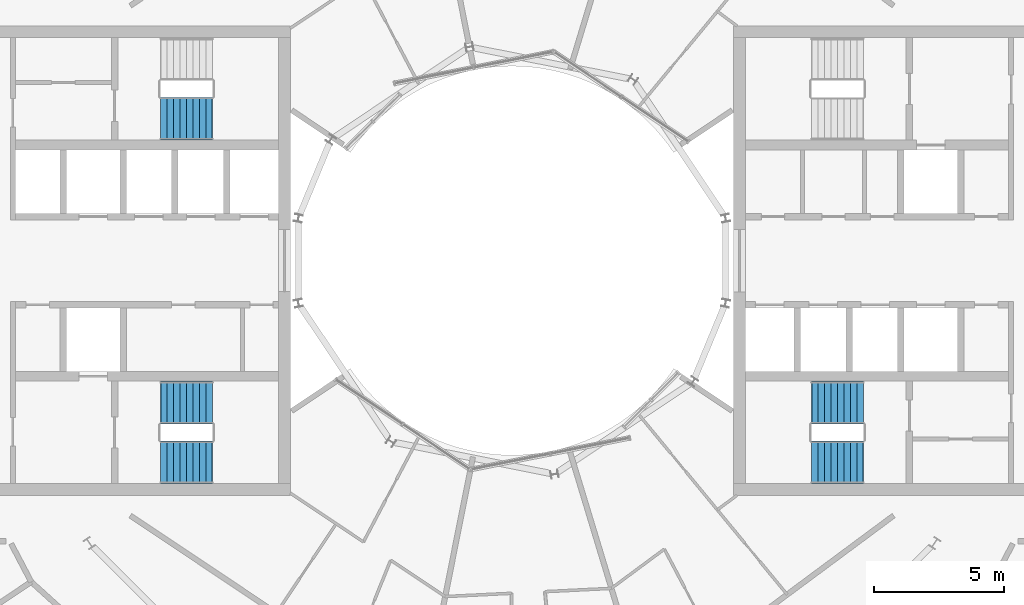
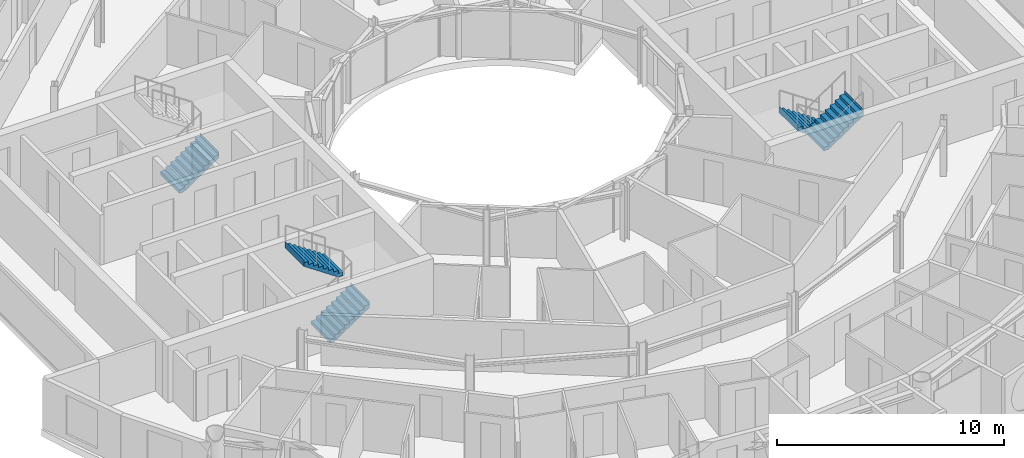
# One storey, part 26 of 29: 5 stair flights, 3 elements without a shape of their own.
"""IFC4 building model written with IfcOpenShell, lengths in metres."""

import ifcopenshell
import ifcopenshell.guid

model = None  # the IFC model being written
_history = None  # IfcOwnerHistory: only IFC2X3 demands one
_inside = {}  # id of a spatial element -> (the spatial element, [elements in it])
_under = {}  # id of a project, library or spatial element -> (it, [spatial elements below it])
_declared = {}  # id of a project -> (the project, [libraries it declares])
_typed = {}  # id of a type object -> (the type object, [elements of that type])
_made_of = {}  # id of a material, layer set ... -> (it, [elements and type objects made of it])


def new_model(schema):
    """Start an empty IFC model of exactly this schema.

    Asked for "IFC4X3", IfcOpenShell would pick the latest addendum, in which some entities
    have other attributes; the version numbers below select the first issue.
    IFC2X3 requires an IfcOwnerHistory on every rooted entity: one is made here for all.
    """
    global model, _history
    if schema == "IFC4X3":
        model = ifcopenshell.file(schema_version=(4, 3, 0, 0))
    else:
        model = ifcopenshell.file(schema=schema)
    _inside.clear()
    _under.clear()
    _declared.clear()
    _typed.clear()
    _made_of.clear()
    _history = None
    if model.schema == "IFC2X3":
        org = make("IfcOrganization", Name="unknown")
        user = make(
            "IfcPersonAndOrganization",
            ThePerson=make("IfcPerson", FamilyName="unknown"),
            TheOrganization=org,
        )
        app = make(
            "IfcApplication",
            ApplicationDeveloper=org,
            Version="unknown",
            ApplicationFullName="unknown",
            ApplicationIdentifier="unknown",
        )
        _history = make(
            "IfcOwnerHistory",
            OwningUser=user,
            OwningApplication=app,
            ChangeAction="ADDED",
            CreationDate=0,
        )
    return model


def make(cls, **values):
    """One entity of the class cls with the attributes given. An attribute that is None is left unset."""
    return model.create_entity(
        cls, **{name: value for name, value in values.items() if value is not None}
    )


def rooted(cls, **values):
    """An entity with a GlobalId (a new one), such as an element, a storey or a relation."""
    return make(cls, GlobalId=ifcopenshell.guid.new(), OwnerHistory=_history, **values)


def si_unit(unit_type, name, prefix=None):
    """IfcSIUnit, for example si_unit("LENGTHUNIT", "METRE", prefix="MILLI")."""
    return make("IfcSIUnit", UnitType=unit_type, Prefix=prefix, Name=name)


def assignment(units):
    """IfcUnitAssignment: the units of a project."""
    return None if units is None else make("IfcUnitAssignment", Units=units)


def point(xyz):
    """IfcCartesianPoint."""
    return None if xyz is None else make("IfcCartesianPoint", Coordinates=xyz)


def direction(xyz):
    """IfcDirection."""
    return None if xyz is None else make("IfcDirection", DirectionRatios=xyz)


def frame(location, z_axis=None, x_axis=None):
    """IfcAxis2Placement3D, a coordinate frame: its origin and axes. An axis left out is left unset."""
    return make(
        "IfcAxis2Placement3D",
        Location=point(location),
        Axis=direction(z_axis),
        RefDirection=direction(x_axis),
    )


def origin():
    """The frame at (0, 0, 0) with its axes left unset."""
    return frame((0.0, 0.0, 0.0))


def place(relative_to, where):
    """IfcLocalPlacement: puts the frame where relative to a parent placement (None: the world)."""
    return make(
        "IfcLocalPlacement", PlacementRelTo=relative_to, RelativePlacement=where
    )


def context(
    kind, dimensions, precision=None, world=None, true_north=None, identifier=None
):
    """IfcGeometricRepresentationContext, for example the 3D "Model" context."""
    return make(
        "IfcGeometricRepresentationContext",
        ContextIdentifier=identifier,
        ContextType=kind,
        CoordinateSpaceDimension=dimensions,
        Precision=precision,
        WorldCoordinateSystem=world,
        TrueNorth=true_north,
    )


def subcontext(parent, identifier, kind, view, scale=None):
    """IfcGeometricRepresentationSubContext, for example "Body" below "Model"."""
    return make(
        "IfcGeometricRepresentationSubContext",
        ContextIdentifier=identifier,
        ContextType=kind,
        ParentContext=parent,
        TargetScale=scale,
        TargetView=view,
    )


def project(units=None, contexts=None):
    """IfcProject with its units and contexts."""
    return rooted(
        "IfcProject",
        Name="project",
        RepresentationContexts=contexts,
        UnitsInContext=assignment(units),
    )


def spatial(cls, under=None, at=None, **own):
    """A site, building, storey or space (cls), placed at a placement, below another one or the project."""
    s = rooted(cls, ObjectPlacement=at, **own)
    if under is not None:
        _under.setdefault(under.id(), (under, []))[1].append(s)
    return s


def point_list(points):
    """IfcCartesianPointList2D or 3D."""
    cls = (
        "IfcCartesianPointList2D" if len(points[0]) == 2 else "IfcCartesianPointList3D"
    )
    return make(cls, CoordList=points)


def triangles(points, corners, closed=None, point_numbers=None):
    """IfcTriangulatedFaceSet: each triangle names its three corners, points numbered from 1."""
    return make(
        "IfcTriangulatedFaceSet",
        Coordinates=point_list(points),
        Closed=closed,
        CoordIndex=corners,
        PnIndex=point_numbers,
    )


def shape(context_of_items, identifier, shape_type, items):
    """IfcShapeRepresentation: the items that make up one representation, for example the "Body"."""
    return make(
        "IfcShapeRepresentation",
        ContextOfItems=context_of_items,
        RepresentationIdentifier=identifier,
        RepresentationType=shape_type,
        Items=items,
    )


def material(Name=None, Category=None):
    """IfcMaterial."""
    return make("IfcMaterial", Name=Name, Category=Category)


def made_of(thing, what):
    """Note that an element or type object is made of a material, layer set ...; save() writes the relation."""
    if what is not None:
        _made_of.setdefault(what.id(), (what, []))[1].append(thing)
    return thing


def type_object(cls, material=None, **own):
    """A type object (cls), such as IfcWallType, which elements share."""
    return made_of(rooted(cls, **own), material)


def element(
    cls,
    number,
    at=None,
    inside=None,
    cuts=None,
    type_object=None,
    material=None,
    context=None,
    identifier="Body",
    shape_type=None,
    held_by="IfcProductDefinitionShape",
    body=None,
    shapes=None,
    **own,
):
    """One element of the class cls, such as IfcWall. Its Tag is "e" and its number.

    at: its placement. inside: the storey or other place that contains it. cuts: it is an
    opening in that element (IfcRelVoidsElement). A single representation is given by context,
    identifier, shape_type and body (its items); several are given by shapes. held_by: the class
    of the entity that holds the representations. save() writes the other relations.
    """
    e = rooted(cls, Tag="e%d" % number, ObjectPlacement=at, **own)
    if body is not None:
        shapes = [shape(context, identifier, shape_type, body)]
    if shapes is not None:
        e.Representation = make(held_by, Representations=shapes)
    if inside is not None:
        _inside.setdefault(inside.id(), (inside, []))[1].append(e)
    if cuts is not None:
        rooted(
            "IfcRelVoidsElement", RelatingBuildingElement=cuts, RelatedOpeningElement=e
        )
    if type_object is not None:
        _typed.setdefault(type_object.id(), (type_object, []))[1].append(e)
    return made_of(e, material)


def aggregate(whole, parts):
    """IfcRelAggregates: a whole, such as a stair, and the parts it consists of."""
    return rooted("IfcRelAggregates", RelatingObject=whole, RelatedObjects=parts)


def save(model, path):
    """Write the relations noted so far, then the file.

    IfcRelAggregates (storeys below a building ...), IfcRelContainedInSpatialStructure (elements
    in a storey), IfcRelDefinesByType, IfcRelAssociatesMaterial and IfcRelDeclares: one each for
    every whole, place, type object, material and project.
    """
    for whole, parts in _under.values():
        aggregate(whole, parts)
    for where, things in _inside.values():
        rooted(
            "IfcRelContainedInSpatialStructure",
            RelatedElements=things,
            RelatingStructure=where,
        )
    for kind, things in _typed.values():
        rooted("IfcRelDefinesByType", RelatedObjects=things, RelatingType=kind)
    for what, things in _made_of.values():
        rooted("IfcRelAssociatesMaterial", RelatedObjects=things, RelatingMaterial=what)
    for by, libraries in _declared.values():
        rooted("IfcRelDeclares", RelatingContext=by, RelatedDefinitions=libraries)
    model.write(path)


model = new_model("IFC4")

# Units and contexts
model_context = context("Model", 3, precision=1e-05, world=origin(), true_north=direction((0.0, 1.0)))
body_context = subcontext(model_context, "Body", "Model", "MODEL_VIEW")
ifc_project = project(units=[si_unit("LENGTHUNIT", "METRE"), si_unit("AREAUNIT", "SQUARE_METRE"), si_unit("VOLUMEUNIT", "CUBIC_METRE"), si_unit("PLANEANGLEUNIT", "RADIAN"), si_unit("MASSUNIT", "GRAM", prefix="KILO")], contexts=[model_context])

# Site, building, storey
site_placement = place(None, origin())
site = spatial("IfcSite", under=ifc_project, at=site_placement, CompositionType="ELEMENT")
building_placement = place(site_placement, origin())
building = spatial("IfcBuilding", under=site, at=building_placement, Name="Maasbend Ring Residences", CompositionType="ELEMENT")
storey_placement = place(building_placement, frame((0.0, 0.0, 193.25)))
storey = spatial("IfcBuildingStorey", under=building, at=storey_placement, Name="L55", CompositionType="ELEMENT", Elevation=193.25)

# Stair, stair flights
ifc_material_1 = material(Name="Concrete C40/50", Category="concrete")
stair_type = type_object("IfcStairType", Name="CORE STAIR 18 RISERS", PredefinedType="HALF_TURN_STAIR", material=ifc_material_1)
stair_1_placement = place(storey_placement, origin())
stair_1 = element("IfcStair", 1, at=stair_1_placement, inside=storey, type_object=stair_type, Name="L55 Exit stair ST-E2", PredefinedType="HALF_TURN_STAIR")
ifc_material_2 = material(Name="Concrete C40/50", Category="concrete")
stair_flight_type = type_object("IfcStairFlightType", Name="CORE STAIR FLIGHT 1650", PredefinedType="STRAIGHT", material=ifc_material_2)
stair_flight_1_placement = place(storey_placement, frame((13.550048828125, -5.47509765625, 0.0), z_axis=(0.0, 0.0, 1.0), x_axis=(-1.0, 0.0, 0.0)))
stair_flight_1 = element("IfcStairFlight", 2, at=stair_flight_1_placement, type_object=stair_flight_type, Name="ST-E2 flight 1", NumberOfRisers=9, NumberOfTreads=8, PredefinedType="STRAIGHT", RiserHeight=0.169444444, TreadLength=0.25, context=body_context, shape_type="Tessellation", body=[
    triangles([(0.24072265625, 0.824951171875, -0.02001953125), (2.0029296875, 0.824951171875, 1.174560546875), (2.0029296875, 0.824951171875, 1.52490234375), (1.989990234375, 0.824951171875, 1.35546875), (1.75, 0.824951171875, 1.35546875), (1.75, 0.824951171875, 1.18603515625), (1.5, 0.824951171875, 1.18603515625), (1.5, 0.824951171875, 1.0166015625), (1.25, 0.824951171875, 1.0166015625), (1.25, 0.824951171875, 0.84716796875), (1.0, 0.824951171875, 0.84716796875), (1.0, 0.824951171875, 0.677734375), (0.75, 0.824951171875, 0.677734375), (0.75, 0.824951171875, 0.50830078125), (0.5, 0.824951171875, 0.50830078125), (0.5, 0.824951171875, 0.3388671875), (0.25, 0.824951171875, 0.3388671875), (0.25, 0.824951171875, 0.16943359375), (0.0, 0.824951171875, 0.16943359375), (0.0, 0.824951171875, 0.0), (-0.0029296875, 0.824951171875, 0.0), (-0.0029296875, 0.824951171875, -0.02001953125), (0.24072265625, 0.27490234375, -0.02001953125), (2.0029296875, 0.27490234375, 1.174560546875), (2.0029296875, 0.27490234375, 1.52490234375), (1.989990234375, 0.27490234375, 1.35546875), (1.75, 0.27490234375, 1.35546875), (1.75, 0.27490234375, 1.18603515625), (1.5, 0.27490234375, 1.18603515625), (1.5, 0.27490234375, 1.0166015625), (1.25, 0.27490234375, 1.0166015625), (1.25, 0.27490234375, 0.84716796875), (1.0, 0.27490234375, 0.84716796875), (1.0, 0.27490234375, 0.677734375), (0.75, 0.27490234375, 0.677734375), (0.75, 0.27490234375, 0.50830078125), (0.5, 0.27490234375, 0.50830078125), (0.5, 0.27490234375, 0.3388671875), (0.25, 0.27490234375, 0.3388671875), (0.25, 0.27490234375, 0.16943359375), (0.0, 0.27490234375, 0.16943359375), (0.0, 0.27490234375, 0.0), (-0.0029296875, 0.27490234375, 0.0), (-0.0029296875, 0.27490234375, -0.02001953125), (0.24072265625, -0.27490234375, -0.02001953125), (2.0029296875, -0.27490234375, 1.174560546875), (2.0029296875, -0.27490234375, 1.52490234375), (1.989990234375, -0.27490234375, 1.35546875), (1.75, -0.27490234375, 1.35546875), (1.75, -0.27490234375, 1.18603515625), (1.5, -0.27490234375, 1.18603515625), (1.5, -0.27490234375, 1.0166015625), (1.25, -0.27490234375, 1.0166015625), (1.25, -0.27490234375, 0.84716796875), (1.0, -0.27490234375, 0.84716796875), (1.0, -0.27490234375, 0.677734375), (0.75, -0.27490234375, 0.677734375), (0.75, -0.27490234375, 0.50830078125), (0.5, -0.27490234375, 0.50830078125), (0.5, -0.27490234375, 0.3388671875), (0.25, -0.27490234375, 0.3388671875), (0.25, -0.27490234375, 0.16943359375), (0.0, -0.27490234375, 0.16943359375), (0.0, -0.27490234375, 0.0), (-0.0029296875, -0.27490234375, 0.0), (-0.0029296875, -0.27490234375, -0.02001953125), (0.24072265625, -0.824951171875, -0.02001953125), (2.0029296875, -0.824951171875, 1.174560546875), (2.0029296875, -0.824951171875, 1.52490234375), (1.989990234375, -0.824951171875, 1.35546875), (1.75, -0.824951171875, 1.35546875), (1.75, -0.824951171875, 1.18603515625), (1.5, -0.824951171875, 1.18603515625), (1.5, -0.824951171875, 1.0166015625), (1.25, -0.824951171875, 1.0166015625), (1.25, -0.824951171875, 0.84716796875), (1.0, -0.824951171875, 0.84716796875), (1.0, -0.824951171875, 0.677734375), (0.75, -0.824951171875, 0.677734375), (0.75, -0.824951171875, 0.50830078125), (0.5, -0.824951171875, 0.50830078125), (0.5, -0.824951171875, 0.3388671875), (0.25, -0.824951171875, 0.3388671875), (0.25, -0.824951171875, 0.16943359375), (0.0, -0.824951171875, 0.16943359375), (0.0, -0.824951171875, 0.0), (-0.0029296875, -0.824951171875, 0.0), (-0.0029296875, -0.824951171875, -0.02001953125)], [[1, 2, 24], [1, 24, 23], [23, 24, 46], [23, 46, 45], [45, 46, 68], [45, 68, 67], [2, 3, 25], [2, 25, 24], [24, 25, 47], [24, 47, 46], [46, 47, 69], [46, 69, 68], [3, 4, 26], [3, 26, 25], [25, 26, 48], [25, 48, 47], [47, 48, 70], [47, 70, 69], [4, 5, 27], [4, 27, 26], [26, 27, 49], [26, 49, 48], [48, 49, 71], [48, 71, 70], [5, 6, 28], [5, 28, 27], [27, 28, 50], [27, 50, 49], [49, 50, 72], [49, 72, 71], [6, 7, 29], [6, 29, 28], [28, 29, 51], [28, 51, 50], [50, 51, 73], [50, 73, 72], [7, 8, 30], [7, 30, 29], [29, 30, 52], [29, 52, 51], [51, 52, 74], [51, 74, 73], [8, 9, 31], [8, 31, 30], [30, 31, 53], [30, 53, 52], [52, 53, 75], [52, 75, 74], [9, 10, 32], [9, 32, 31], [31, 32, 54], [31, 54, 53], [53, 54, 76], [53, 76, 75], [10, 11, 33], [10, 33, 32], [32, 33, 55], [32, 55, 54], [54, 55, 77], [54, 77, 76], [11, 12, 34], [11, 34, 33], [33, 34, 56], [33, 56, 55], [55, 56, 78], [55, 78, 77], [12, 13, 35], [12, 35, 34], [34, 35, 57], [34, 57, 56], [56, 57, 79], [56, 79, 78], [13, 14, 36], [13, 36, 35], [35, 36, 58], [35, 58, 57], [57, 58, 80], [57, 80, 79], [14, 15, 37], [14, 37, 36], [36, 37, 59], [36, 59, 58], [58, 59, 81], [58, 81, 80], [15, 16, 38], [15, 38, 37], [37, 38, 60], [37, 60, 59], [59, 60, 82], [59, 82, 81], [16, 17, 39], [16, 39, 38], [38, 39, 61], [38, 61, 60], [60, 61, 83], [60, 83, 82], [17, 18, 40], [17, 40, 39], [39, 40, 62], [39, 62, 61], [61, 62, 84], [61, 84, 83], [18, 19, 41], [18, 41, 40], [40, 41, 63], [40, 63, 62], [62, 63, 85], [62, 85, 84], [19, 20, 42], [19, 42, 41], [41, 42, 64], [41, 64, 63], [63, 64, 86], [63, 86, 85], [20, 21, 43], [20, 43, 42], [42, 43, 65], [42, 65, 64], [64, 65, 87], [64, 87, 86], [21, 22, 44], [21, 44, 43], [43, 44, 66], [43, 66, 65], [65, 66, 88], [65, 88, 87], [22, 1, 23], [22, 23, 44], [44, 23, 45], [44, 45, 66], [66, 45, 67], [66, 67, 88], [22, 2, 1], [2, 4, 3], [2, 5, 4], [2, 6, 5], [22, 6, 2], [6, 8, 7], [22, 8, 6], [8, 10, 9], [22, 10, 8], [10, 12, 11], [22, 12, 10], [12, 14, 13], [22, 14, 12], [14, 16, 15], [22, 16, 14], [16, 18, 17], [22, 18, 16], [18, 20, 19], [22, 20, 18], [20, 22, 21], [88, 67, 68], [68, 69, 70], [68, 70, 71], [68, 71, 72], [88, 68, 72], [72, 73, 74], [88, 72, 74], [74, 75, 76], [88, 74, 76], [76, 77, 78], [88, 76, 78], [78, 79, 80], [88, 78, 80], [80, 81, 82], [88, 80, 82], [82, 83, 84], [88, 82, 84], [84, 85, 86], [88, 84, 86], [86, 87, 88]], closed=True),
])
stair_flight_2_placement = place(storey_placement, frame((11.550048828125, -7.77490234375, 1.52490234375), z_axis=(0.0, 0.0, 1.0), x_axis=(1.0, 0.0, 0.0)))
stair_flight_2 = element("IfcStairFlight", 3, at=stair_flight_2_placement, type_object=stair_flight_type, Name="ST-E2 flight 2", NumberOfRisers=9, NumberOfTreads=8, PredefinedType="STRAIGHT", RiserHeight=0.169444444, TreadLength=0.25, context=body_context, shape_type="Tessellation", body=[
    triangles([(0.24072265625, 0.824951171875, -0.02001953125), (2.0029296875, 0.824951171875, 1.174560546875), (2.0029296875, 0.824951171875, 1.52490234375), (1.989990234375, 0.824951171875, 1.35546875), (1.75, 0.824951171875, 1.35546875), (1.75, 0.824951171875, 1.18603515625), (1.5, 0.824951171875, 1.18603515625), (1.5, 0.824951171875, 1.0166015625), (1.25, 0.824951171875, 1.0166015625), (1.25, 0.824951171875, 0.84716796875), (1.0, 0.824951171875, 0.84716796875), (1.0, 0.824951171875, 0.677734375), (0.75, 0.824951171875, 0.677734375), (0.75, 0.824951171875, 0.50830078125), (0.5, 0.824951171875, 0.50830078125), (0.5, 0.824951171875, 0.3388671875), (0.25, 0.824951171875, 0.3388671875), (0.25, 0.824951171875, 0.16943359375), (0.0, 0.824951171875, 0.16943359375), (0.0, 0.824951171875, 0.0), (-0.0029296875, 0.824951171875, 0.0), (-0.0029296875, 0.824951171875, -0.02001953125), (0.24072265625, 0.27490234375, -0.02001953125), (2.0029296875, 0.27490234375, 1.174560546875), (2.0029296875, 0.27490234375, 1.52490234375), (1.989990234375, 0.27490234375, 1.35546875), (1.75, 0.27490234375, 1.35546875), (1.75, 0.27490234375, 1.18603515625), (1.5, 0.27490234375, 1.18603515625), (1.5, 0.27490234375, 1.0166015625), (1.25, 0.27490234375, 1.0166015625), (1.25, 0.27490234375, 0.84716796875), (1.0, 0.27490234375, 0.84716796875), (1.0, 0.27490234375, 0.677734375), (0.75, 0.27490234375, 0.677734375), (0.75, 0.27490234375, 0.50830078125), (0.5, 0.27490234375, 0.50830078125), (0.5, 0.27490234375, 0.3388671875), (0.25, 0.27490234375, 0.3388671875), (0.25, 0.27490234375, 0.16943359375), (0.0, 0.27490234375, 0.16943359375), (0.0, 0.27490234375, 0.0), (-0.0029296875, 0.27490234375, 0.0), (-0.0029296875, 0.27490234375, -0.02001953125), (0.24072265625, -0.27490234375, -0.02001953125), (2.0029296875, -0.27490234375, 1.174560546875), (2.0029296875, -0.27490234375, 1.52490234375), (1.989990234375, -0.27490234375, 1.35546875), (1.75, -0.27490234375, 1.35546875), (1.75, -0.27490234375, 1.18603515625), (1.5, -0.27490234375, 1.18603515625), (1.5, -0.27490234375, 1.0166015625), (1.25, -0.27490234375, 1.0166015625), (1.25, -0.27490234375, 0.84716796875), (1.0, -0.27490234375, 0.84716796875), (1.0, -0.27490234375, 0.677734375), (0.75, -0.27490234375, 0.677734375), (0.75, -0.27490234375, 0.50830078125), (0.5, -0.27490234375, 0.50830078125), (0.5, -0.27490234375, 0.3388671875), (0.25, -0.27490234375, 0.3388671875), (0.25, -0.27490234375, 0.16943359375), (0.0, -0.27490234375, 0.16943359375), (0.0, -0.27490234375, 0.0), (-0.0029296875, -0.27490234375, 0.0), (-0.0029296875, -0.27490234375, -0.02001953125), (0.24072265625, -0.824951171875, -0.02001953125), (2.0029296875, -0.824951171875, 1.174560546875), (2.0029296875, -0.824951171875, 1.52490234375), (1.989990234375, -0.824951171875, 1.35546875), (1.75, -0.824951171875, 1.35546875), (1.75, -0.824951171875, 1.18603515625), (1.5, -0.824951171875, 1.18603515625), (1.5, -0.824951171875, 1.0166015625), (1.25, -0.824951171875, 1.0166015625), (1.25, -0.824951171875, 0.84716796875), (1.0, -0.824951171875, 0.84716796875), (1.0, -0.824951171875, 0.677734375), (0.75, -0.824951171875, 0.677734375), (0.75, -0.824951171875, 0.50830078125), (0.5, -0.824951171875, 0.50830078125), (0.5, -0.824951171875, 0.3388671875), (0.25, -0.824951171875, 0.3388671875), (0.25, -0.824951171875, 0.16943359375), (0.0, -0.824951171875, 0.16943359375), (0.0, -0.824951171875, 0.0), (-0.0029296875, -0.824951171875, 0.0), (-0.0029296875, -0.824951171875, -0.02001953125)], [[1, 2, 24], [1, 24, 23], [23, 24, 46], [23, 46, 45], [45, 46, 68], [45, 68, 67], [2, 3, 25], [2, 25, 24], [24, 25, 47], [24, 47, 46], [46, 47, 69], [46, 69, 68], [3, 4, 26], [3, 26, 25], [25, 26, 48], [25, 48, 47], [47, 48, 70], [47, 70, 69], [4, 5, 27], [4, 27, 26], [26, 27, 49], [26, 49, 48], [48, 49, 71], [48, 71, 70], [5, 6, 28], [5, 28, 27], [27, 28, 50], [27, 50, 49], [49, 50, 72], [49, 72, 71], [6, 7, 29], [6, 29, 28], [28, 29, 51], [28, 51, 50], [50, 51, 73], [50, 73, 72], [7, 8, 30], [7, 30, 29], [29, 30, 52], [29, 52, 51], [51, 52, 74], [51, 74, 73], [8, 9, 31], [8, 31, 30], [30, 31, 53], [30, 53, 52], [52, 53, 75], [52, 75, 74], [9, 10, 32], [9, 32, 31], [31, 32, 54], [31, 54, 53], [53, 54, 76], [53, 76, 75], [10, 11, 33], [10, 33, 32], [32, 33, 55], [32, 55, 54], [54, 55, 77], [54, 77, 76], [11, 12, 34], [11, 34, 33], [33, 34, 56], [33, 56, 55], [55, 56, 78], [55, 78, 77], [12, 13, 35], [12, 35, 34], [34, 35, 57], [34, 57, 56], [56, 57, 79], [56, 79, 78], [13, 14, 36], [13, 36, 35], [35, 36, 58], [35, 58, 57], [57, 58, 80], [57, 80, 79], [14, 15, 37], [14, 37, 36], [36, 37, 59], [36, 59, 58], [58, 59, 81], [58, 81, 80], [15, 16, 38], [15, 38, 37], [37, 38, 60], [37, 60, 59], [59, 60, 82], [59, 82, 81], [16, 17, 39], [16, 39, 38], [38, 39, 61], [38, 61, 60], [60, 61, 83], [60, 83, 82], [17, 18, 40], [17, 40, 39], [39, 40, 62], [39, 62, 61], [61, 62, 84], [61, 84, 83], [18, 19, 41], [18, 41, 40], [40, 41, 63], [40, 63, 62], [62, 63, 85], [62, 85, 84], [19, 20, 42], [19, 42, 41], [41, 42, 64], [41, 64, 63], [63, 64, 86], [63, 86, 85], [20, 21, 43], [20, 43, 42], [42, 43, 65], [42, 65, 64], [64, 65, 87], [64, 87, 86], [21, 22, 44], [21, 44, 43], [43, 44, 66], [43, 66, 65], [65, 66, 88], [65, 88, 87], [22, 1, 23], [22, 23, 44], [44, 23, 45], [44, 45, 66], [66, 45, 67], [66, 67, 88], [22, 2, 1], [2, 4, 3], [2, 5, 4], [2, 6, 5], [22, 6, 2], [6, 8, 7], [22, 8, 6], [8, 10, 9], [22, 10, 8], [10, 12, 11], [22, 12, 10], [12, 14, 13], [22, 14, 12], [14, 16, 15], [22, 16, 14], [16, 18, 17], [22, 18, 16], [18, 20, 19], [22, 20, 18], [20, 22, 21], [88, 67, 68], [68, 69, 70], [68, 70, 71], [68, 71, 72], [88, 68, 72], [72, 73, 74], [88, 72, 74], [74, 75, 76], [88, 74, 76], [76, 77, 78], [88, 76, 78], [78, 79, 80], [88, 78, 80], [80, 81, 82], [88, 80, 82], [82, 83, 84], [88, 82, 84], [84, 85, 86], [88, 84, 86], [86, 87, 88]], closed=True),
])
aggregate(stair_1, [stair_flight_1, stair_flight_2])

stair_2_placement = place(storey_placement, origin())
stair_2 = element("IfcStair", 4, at=stair_2_placement, inside=storey, type_object=stair_type, Name="L55 Exit stair ST-W1", PredefinedType="HALF_TURN_STAIR")
stair_flight_3_placement = place(storey_placement, frame((-13.550048828125, -7.77490234375, 0.0), z_axis=(0.0, 0.0, 1.0), x_axis=(1.0, 0.0, 0.0)))
stair_flight_3 = element("IfcStairFlight", 5, at=stair_flight_3_placement, type_object=stair_flight_type, Name="ST-W1 flight 1", NumberOfRisers=9, NumberOfTreads=8, PredefinedType="STRAIGHT", RiserHeight=0.169444444, TreadLength=0.25, context=body_context, shape_type="Tessellation", body=[
    triangles([(0.24072265625, 0.824951171875, -0.02001953125), (2.0029296875, 0.824951171875, 1.174560546875), (2.0029296875, 0.824951171875, 1.52490234375), (1.989990234375, 0.824951171875, 1.35546875), (1.75, 0.824951171875, 1.35546875), (1.75, 0.824951171875, 1.18603515625), (1.5, 0.824951171875, 1.18603515625), (1.5, 0.824951171875, 1.0166015625), (1.25, 0.824951171875, 1.0166015625), (1.25, 0.824951171875, 0.84716796875), (1.0, 0.824951171875, 0.84716796875), (1.0, 0.824951171875, 0.677734375), (0.75, 0.824951171875, 0.677734375), (0.75, 0.824951171875, 0.50830078125), (0.5, 0.824951171875, 0.50830078125), (0.5, 0.824951171875, 0.3388671875), (0.25, 0.824951171875, 0.3388671875), (0.25, 0.824951171875, 0.16943359375), (0.0, 0.824951171875, 0.16943359375), (0.0, 0.824951171875, 0.0), (-0.0029296875, 0.824951171875, 0.0), (-0.0029296875, 0.824951171875, -0.02001953125), (0.24072265625, 0.27490234375, -0.02001953125), (2.0029296875, 0.27490234375, 1.174560546875), (2.0029296875, 0.27490234375, 1.52490234375), (1.989990234375, 0.27490234375, 1.35546875), (1.75, 0.27490234375, 1.35546875), (1.75, 0.27490234375, 1.18603515625), (1.5, 0.27490234375, 1.18603515625), (1.5, 0.27490234375, 1.0166015625), (1.25, 0.27490234375, 1.0166015625), (1.25, 0.27490234375, 0.84716796875), (1.0, 0.27490234375, 0.84716796875), (1.0, 0.27490234375, 0.677734375), (0.75, 0.27490234375, 0.677734375), (0.75, 0.27490234375, 0.50830078125), (0.5, 0.27490234375, 0.50830078125), (0.5, 0.27490234375, 0.3388671875), (0.25, 0.27490234375, 0.3388671875), (0.25, 0.27490234375, 0.16943359375), (0.0, 0.27490234375, 0.16943359375), (0.0, 0.27490234375, 0.0), (-0.0029296875, 0.27490234375, 0.0), (-0.0029296875, 0.27490234375, -0.02001953125), (0.24072265625, -0.27490234375, -0.02001953125), (2.0029296875, -0.27490234375, 1.174560546875), (2.0029296875, -0.27490234375, 1.52490234375), (1.989990234375, -0.27490234375, 1.35546875), (1.75, -0.27490234375, 1.35546875), (1.75, -0.27490234375, 1.18603515625), (1.5, -0.27490234375, 1.18603515625), (1.5, -0.27490234375, 1.0166015625), (1.25, -0.27490234375, 1.0166015625), (1.25, -0.27490234375, 0.84716796875), (1.0, -0.27490234375, 0.84716796875), (1.0, -0.27490234375, 0.677734375), (0.75, -0.27490234375, 0.677734375), (0.75, -0.27490234375, 0.50830078125), (0.5, -0.27490234375, 0.50830078125), (0.5, -0.27490234375, 0.3388671875), (0.25, -0.27490234375, 0.3388671875), (0.25, -0.27490234375, 0.16943359375), (0.0, -0.27490234375, 0.16943359375), (0.0, -0.27490234375, 0.0), (-0.0029296875, -0.27490234375, 0.0), (-0.0029296875, -0.27490234375, -0.02001953125), (0.24072265625, -0.824951171875, -0.02001953125), (2.0029296875, -0.824951171875, 1.174560546875), (2.0029296875, -0.824951171875, 1.52490234375), (1.989990234375, -0.824951171875, 1.35546875), (1.75, -0.824951171875, 1.35546875), (1.75, -0.824951171875, 1.18603515625), (1.5, -0.824951171875, 1.18603515625), (1.5, -0.824951171875, 1.0166015625), (1.25, -0.824951171875, 1.0166015625), (1.25, -0.824951171875, 0.84716796875), (1.0, -0.824951171875, 0.84716796875), (1.0, -0.824951171875, 0.677734375), (0.75, -0.824951171875, 0.677734375), (0.75, -0.824951171875, 0.50830078125), (0.5, -0.824951171875, 0.50830078125), (0.5, -0.824951171875, 0.3388671875), (0.25, -0.824951171875, 0.3388671875), (0.25, -0.824951171875, 0.16943359375), (0.0, -0.824951171875, 0.16943359375), (0.0, -0.824951171875, 0.0), (-0.0029296875, -0.824951171875, 0.0), (-0.0029296875, -0.824951171875, -0.02001953125)], [[1, 2, 24], [1, 24, 23], [23, 24, 46], [23, 46, 45], [45, 46, 68], [45, 68, 67], [2, 3, 25], [2, 25, 24], [24, 25, 47], [24, 47, 46], [46, 47, 69], [46, 69, 68], [3, 4, 26], [3, 26, 25], [25, 26, 48], [25, 48, 47], [47, 48, 70], [47, 70, 69], [4, 5, 27], [4, 27, 26], [26, 27, 49], [26, 49, 48], [48, 49, 71], [48, 71, 70], [5, 6, 28], [5, 28, 27], [27, 28, 50], [27, 50, 49], [49, 50, 72], [49, 72, 71], [6, 7, 29], [6, 29, 28], [28, 29, 51], [28, 51, 50], [50, 51, 73], [50, 73, 72], [7, 8, 30], [7, 30, 29], [29, 30, 52], [29, 52, 51], [51, 52, 74], [51, 74, 73], [8, 9, 31], [8, 31, 30], [30, 31, 53], [30, 53, 52], [52, 53, 75], [52, 75, 74], [9, 10, 32], [9, 32, 31], [31, 32, 54], [31, 54, 53], [53, 54, 76], [53, 76, 75], [10, 11, 33], [10, 33, 32], [32, 33, 55], [32, 55, 54], [54, 55, 77], [54, 77, 76], [11, 12, 34], [11, 34, 33], [33, 34, 56], [33, 56, 55], [55, 56, 78], [55, 78, 77], [12, 13, 35], [12, 35, 34], [34, 35, 57], [34, 57, 56], [56, 57, 79], [56, 79, 78], [13, 14, 36], [13, 36, 35], [35, 36, 58], [35, 58, 57], [57, 58, 80], [57, 80, 79], [14, 15, 37], [14, 37, 36], [36, 37, 59], [36, 59, 58], [58, 59, 81], [58, 81, 80], [15, 16, 38], [15, 38, 37], [37, 38, 60], [37, 60, 59], [59, 60, 82], [59, 82, 81], [16, 17, 39], [16, 39, 38], [38, 39, 61], [38, 61, 60], [60, 61, 83], [60, 83, 82], [17, 18, 40], [17, 40, 39], [39, 40, 62], [39, 62, 61], [61, 62, 84], [61, 84, 83], [18, 19, 41], [18, 41, 40], [40, 41, 63], [40, 63, 62], [62, 63, 85], [62, 85, 84], [19, 20, 42], [19, 42, 41], [41, 42, 64], [41, 64, 63], [63, 64, 86], [63, 86, 85], [20, 21, 43], [20, 43, 42], [42, 43, 65], [42, 65, 64], [64, 65, 87], [64, 87, 86], [21, 22, 44], [21, 44, 43], [43, 44, 66], [43, 66, 65], [65, 66, 88], [65, 88, 87], [22, 1, 23], [22, 23, 44], [44, 23, 45], [44, 45, 66], [66, 45, 67], [66, 67, 88], [22, 2, 1], [2, 4, 3], [2, 5, 4], [2, 6, 5], [22, 6, 2], [6, 8, 7], [22, 8, 6], [8, 10, 9], [22, 10, 8], [10, 12, 11], [22, 12, 10], [12, 14, 13], [22, 14, 12], [14, 16, 15], [22, 16, 14], [16, 18, 17], [22, 18, 16], [18, 20, 19], [22, 20, 18], [20, 22, 21], [88, 67, 68], [68, 69, 70], [68, 70, 71], [68, 71, 72], [88, 68, 72], [72, 73, 74], [88, 72, 74], [74, 75, 76], [88, 74, 76], [76, 77, 78], [88, 76, 78], [78, 79, 80], [88, 78, 80], [80, 81, 82], [88, 80, 82], [82, 83, 84], [88, 82, 84], [84, 85, 86], [88, 84, 86], [86, 87, 88]], closed=True),
])
stair_flight_4_placement = place(storey_placement, frame((-11.550048828125, -5.47509765625, 1.52490234375), z_axis=(0.0, 0.0, 1.0), x_axis=(-1.0, 0.0, 0.0)))
stair_flight_4 = element("IfcStairFlight", 6, at=stair_flight_4_placement, type_object=stair_flight_type, Name="ST-W1 flight 2", NumberOfRisers=9, NumberOfTreads=8, PredefinedType="STRAIGHT", RiserHeight=0.169444444, TreadLength=0.25, context=body_context, shape_type="Tessellation", body=[
    triangles([(0.24072265625, 0.824951171875, -0.02001953125), (2.0029296875, 0.824951171875, 1.174560546875), (2.0029296875, 0.824951171875, 1.52490234375), (1.989990234375, 0.824951171875, 1.35546875), (1.75, 0.824951171875, 1.35546875), (1.75, 0.824951171875, 1.18603515625), (1.5, 0.824951171875, 1.18603515625), (1.5, 0.824951171875, 1.0166015625), (1.25, 0.824951171875, 1.0166015625), (1.25, 0.824951171875, 0.84716796875), (1.0, 0.824951171875, 0.84716796875), (1.0, 0.824951171875, 0.677734375), (0.75, 0.824951171875, 0.677734375), (0.75, 0.824951171875, 0.50830078125), (0.5, 0.824951171875, 0.50830078125), (0.5, 0.824951171875, 0.3388671875), (0.25, 0.824951171875, 0.3388671875), (0.25, 0.824951171875, 0.16943359375), (0.0, 0.824951171875, 0.16943359375), (0.0, 0.824951171875, 0.0), (-0.0029296875, 0.824951171875, 0.0), (-0.0029296875, 0.824951171875, -0.02001953125), (0.24072265625, 0.27490234375, -0.02001953125), (2.0029296875, 0.27490234375, 1.174560546875), (2.0029296875, 0.27490234375, 1.52490234375), (1.989990234375, 0.27490234375, 1.35546875), (1.75, 0.27490234375, 1.35546875), (1.75, 0.27490234375, 1.18603515625), (1.5, 0.27490234375, 1.18603515625), (1.5, 0.27490234375, 1.0166015625), (1.25, 0.27490234375, 1.0166015625), (1.25, 0.27490234375, 0.84716796875), (1.0, 0.27490234375, 0.84716796875), (1.0, 0.27490234375, 0.677734375), (0.75, 0.27490234375, 0.677734375), (0.75, 0.27490234375, 0.50830078125), (0.5, 0.27490234375, 0.50830078125), (0.5, 0.27490234375, 0.3388671875), (0.25, 0.27490234375, 0.3388671875), (0.25, 0.27490234375, 0.16943359375), (0.0, 0.27490234375, 0.16943359375), (0.0, 0.27490234375, 0.0), (-0.0029296875, 0.27490234375, 0.0), (-0.0029296875, 0.27490234375, -0.02001953125), (0.24072265625, -0.27490234375, -0.02001953125), (2.0029296875, -0.27490234375, 1.174560546875), (2.0029296875, -0.27490234375, 1.52490234375), (1.989990234375, -0.27490234375, 1.35546875), (1.75, -0.27490234375, 1.35546875), (1.75, -0.27490234375, 1.18603515625), (1.5, -0.27490234375, 1.18603515625), (1.5, -0.27490234375, 1.0166015625), (1.25, -0.27490234375, 1.0166015625), (1.25, -0.27490234375, 0.84716796875), (1.0, -0.27490234375, 0.84716796875), (1.0, -0.27490234375, 0.677734375), (0.75, -0.27490234375, 0.677734375), (0.75, -0.27490234375, 0.50830078125), (0.5, -0.27490234375, 0.50830078125), (0.5, -0.27490234375, 0.3388671875), (0.25, -0.27490234375, 0.3388671875), (0.25, -0.27490234375, 0.16943359375), (0.0, -0.27490234375, 0.16943359375), (0.0, -0.27490234375, 0.0), (-0.0029296875, -0.27490234375, 0.0), (-0.0029296875, -0.27490234375, -0.02001953125), (0.24072265625, -0.824951171875, -0.02001953125), (2.0029296875, -0.824951171875, 1.174560546875), (2.0029296875, -0.824951171875, 1.52490234375), (1.989990234375, -0.824951171875, 1.35546875), (1.75, -0.824951171875, 1.35546875), (1.75, -0.824951171875, 1.18603515625), (1.5, -0.824951171875, 1.18603515625), (1.5, -0.824951171875, 1.0166015625), (1.25, -0.824951171875, 1.0166015625), (1.25, -0.824951171875, 0.84716796875), (1.0, -0.824951171875, 0.84716796875), (1.0, -0.824951171875, 0.677734375), (0.75, -0.824951171875, 0.677734375), (0.75, -0.824951171875, 0.50830078125), (0.5, -0.824951171875, 0.50830078125), (0.5, -0.824951171875, 0.3388671875), (0.25, -0.824951171875, 0.3388671875), (0.25, -0.824951171875, 0.16943359375), (0.0, -0.824951171875, 0.16943359375), (0.0, -0.824951171875, 0.0), (-0.0029296875, -0.824951171875, 0.0), (-0.0029296875, -0.824951171875, -0.02001953125)], [[1, 2, 24], [1, 24, 23], [23, 24, 46], [23, 46, 45], [45, 46, 68], [45, 68, 67], [2, 3, 25], [2, 25, 24], [24, 25, 47], [24, 47, 46], [46, 47, 69], [46, 69, 68], [3, 4, 26], [3, 26, 25], [25, 26, 48], [25, 48, 47], [47, 48, 70], [47, 70, 69], [4, 5, 27], [4, 27, 26], [26, 27, 49], [26, 49, 48], [48, 49, 71], [48, 71, 70], [5, 6, 28], [5, 28, 27], [27, 28, 50], [27, 50, 49], [49, 50, 72], [49, 72, 71], [6, 7, 29], [6, 29, 28], [28, 29, 51], [28, 51, 50], [50, 51, 73], [50, 73, 72], [7, 8, 30], [7, 30, 29], [29, 30, 52], [29, 52, 51], [51, 52, 74], [51, 74, 73], [8, 9, 31], [8, 31, 30], [30, 31, 53], [30, 53, 52], [52, 53, 75], [52, 75, 74], [9, 10, 32], [9, 32, 31], [31, 32, 54], [31, 54, 53], [53, 54, 76], [53, 76, 75], [10, 11, 33], [10, 33, 32], [32, 33, 55], [32, 55, 54], [54, 55, 77], [54, 77, 76], [11, 12, 34], [11, 34, 33], [33, 34, 56], [33, 56, 55], [55, 56, 78], [55, 78, 77], [12, 13, 35], [12, 35, 34], [34, 35, 57], [34, 57, 56], [56, 57, 79], [56, 79, 78], [13, 14, 36], [13, 36, 35], [35, 36, 58], [35, 58, 57], [57, 58, 80], [57, 80, 79], [14, 15, 37], [14, 37, 36], [36, 37, 59], [36, 59, 58], [58, 59, 81], [58, 81, 80], [15, 16, 38], [15, 38, 37], [37, 38, 60], [37, 60, 59], [59, 60, 82], [59, 82, 81], [16, 17, 39], [16, 39, 38], [38, 39, 61], [38, 61, 60], [60, 61, 83], [60, 83, 82], [17, 18, 40], [17, 40, 39], [39, 40, 62], [39, 62, 61], [61, 62, 84], [61, 84, 83], [18, 19, 41], [18, 41, 40], [40, 41, 63], [40, 63, 62], [62, 63, 85], [62, 85, 84], [19, 20, 42], [19, 42, 41], [41, 42, 64], [41, 64, 63], [63, 64, 86], [63, 86, 85], [20, 21, 43], [20, 43, 42], [42, 43, 65], [42, 65, 64], [64, 65, 87], [64, 87, 86], [21, 22, 44], [21, 44, 43], [43, 44, 66], [43, 66, 65], [65, 66, 88], [65, 88, 87], [22, 1, 23], [22, 23, 44], [44, 23, 45], [44, 45, 66], [66, 45, 67], [66, 67, 88], [22, 2, 1], [2, 4, 3], [2, 5, 4], [2, 6, 5], [22, 6, 2], [6, 8, 7], [22, 8, 6], [8, 10, 9], [22, 10, 8], [10, 12, 11], [22, 12, 10], [12, 14, 13], [22, 14, 12], [14, 16, 15], [22, 16, 14], [16, 18, 17], [22, 18, 16], [18, 20, 19], [22, 20, 18], [20, 22, 21], [88, 67, 68], [68, 69, 70], [68, 70, 71], [68, 71, 72], [88, 68, 72], [72, 73, 74], [88, 72, 74], [74, 75, 76], [88, 74, 76], [76, 77, 78], [88, 76, 78], [78, 79, 80], [88, 78, 80], [80, 81, 82], [88, 80, 82], [82, 83, 84], [88, 82, 84], [84, 85, 86], [88, 84, 86], [86, 87, 88]], closed=True),
])
aggregate(stair_2, [stair_flight_3, stair_flight_4])

# Stair, stair flight
stair_3_placement = place(storey_placement, origin())
stair_3 = element("IfcStair", 7, at=stair_3_placement, inside=storey, type_object=stair_type, Name="L55 Exit stair ST-W2", PredefinedType="HALF_TURN_STAIR")
stair_flight_5_placement = place(storey_placement, frame((-13.550048828125, 5.47509765625, 0.0), z_axis=(0.0, 0.0, 1.0), x_axis=(1.0, 0.0, 0.0)))
stair_flight_5 = element("IfcStairFlight", 8, at=stair_flight_5_placement, type_object=stair_flight_type, Name="ST-W2 flight 1", NumberOfRisers=9, NumberOfTreads=8, PredefinedType="STRAIGHT", RiserHeight=0.169444444, TreadLength=0.25, context=body_context, shape_type="Tessellation", body=[
    triangles([(0.24072265625, 0.824951171875, -0.02001953125), (2.0029296875, 0.824951171875, 1.174560546875), (2.0029296875, 0.824951171875, 1.52490234375), (1.989990234375, 0.824951171875, 1.35546875), (1.75, 0.824951171875, 1.35546875), (1.75, 0.824951171875, 1.18603515625), (1.5, 0.824951171875, 1.18603515625), (1.5, 0.824951171875, 1.0166015625), (1.25, 0.824951171875, 1.0166015625), (1.25, 0.824951171875, 0.84716796875), (1.0, 0.824951171875, 0.84716796875), (1.0, 0.824951171875, 0.677734375), (0.75, 0.824951171875, 0.677734375), (0.75, 0.824951171875, 0.50830078125), (0.5, 0.824951171875, 0.50830078125), (0.5, 0.824951171875, 0.3388671875), (0.25, 0.824951171875, 0.3388671875), (0.25, 0.824951171875, 0.16943359375), (0.0, 0.824951171875, 0.16943359375), (0.0, 0.824951171875, 0.0), (-0.0029296875, 0.824951171875, 0.0), (-0.0029296875, 0.824951171875, -0.02001953125), (0.24072265625, 0.27490234375, -0.02001953125), (2.0029296875, 0.27490234375, 1.174560546875), (2.0029296875, 0.27490234375, 1.52490234375), (1.989990234375, 0.27490234375, 1.35546875), (1.75, 0.27490234375, 1.35546875), (1.75, 0.27490234375, 1.18603515625), (1.5, 0.27490234375, 1.18603515625), (1.5, 0.27490234375, 1.0166015625), (1.25, 0.27490234375, 1.0166015625), (1.25, 0.27490234375, 0.84716796875), (1.0, 0.27490234375, 0.84716796875), (1.0, 0.27490234375, 0.677734375), (0.75, 0.27490234375, 0.677734375), (0.75, 0.27490234375, 0.50830078125), (0.5, 0.27490234375, 0.50830078125), (0.5, 0.27490234375, 0.3388671875), (0.25, 0.27490234375, 0.3388671875), (0.25, 0.27490234375, 0.16943359375), (0.0, 0.27490234375, 0.16943359375), (0.0, 0.27490234375, 0.0), (-0.0029296875, 0.27490234375, 0.0), (-0.0029296875, 0.27490234375, -0.02001953125), (0.24072265625, -0.27490234375, -0.02001953125), (2.0029296875, -0.27490234375, 1.174560546875), (2.0029296875, -0.27490234375, 1.52490234375), (1.989990234375, -0.27490234375, 1.35546875), (1.75, -0.27490234375, 1.35546875), (1.75, -0.27490234375, 1.18603515625), (1.5, -0.27490234375, 1.18603515625), (1.5, -0.27490234375, 1.0166015625), (1.25, -0.27490234375, 1.0166015625), (1.25, -0.27490234375, 0.84716796875), (1.0, -0.27490234375, 0.84716796875), (1.0, -0.27490234375, 0.677734375), (0.75, -0.27490234375, 0.677734375), (0.75, -0.27490234375, 0.50830078125), (0.5, -0.27490234375, 0.50830078125), (0.5, -0.27490234375, 0.3388671875), (0.25, -0.27490234375, 0.3388671875), (0.25, -0.27490234375, 0.16943359375), (0.0, -0.27490234375, 0.16943359375), (0.0, -0.27490234375, 0.0), (-0.0029296875, -0.27490234375, 0.0), (-0.0029296875, -0.27490234375, -0.02001953125), (0.24072265625, -0.824951171875, -0.02001953125), (2.0029296875, -0.824951171875, 1.174560546875), (2.0029296875, -0.824951171875, 1.52490234375), (1.989990234375, -0.824951171875, 1.35546875), (1.75, -0.824951171875, 1.35546875), (1.75, -0.824951171875, 1.18603515625), (1.5, -0.824951171875, 1.18603515625), (1.5, -0.824951171875, 1.0166015625), (1.25, -0.824951171875, 1.0166015625), (1.25, -0.824951171875, 0.84716796875), (1.0, -0.824951171875, 0.84716796875), (1.0, -0.824951171875, 0.677734375), (0.75, -0.824951171875, 0.677734375), (0.75, -0.824951171875, 0.50830078125), (0.5, -0.824951171875, 0.50830078125), (0.5, -0.824951171875, 0.3388671875), (0.25, -0.824951171875, 0.3388671875), (0.25, -0.824951171875, 0.16943359375), (0.0, -0.824951171875, 0.16943359375), (0.0, -0.824951171875, 0.0), (-0.0029296875, -0.824951171875, 0.0), (-0.0029296875, -0.824951171875, -0.02001953125)], [[1, 2, 24], [1, 24, 23], [23, 24, 46], [23, 46, 45], [45, 46, 68], [45, 68, 67], [2, 3, 25], [2, 25, 24], [24, 25, 47], [24, 47, 46], [46, 47, 69], [46, 69, 68], [3, 4, 26], [3, 26, 25], [25, 26, 48], [25, 48, 47], [47, 48, 70], [47, 70, 69], [4, 5, 27], [4, 27, 26], [26, 27, 49], [26, 49, 48], [48, 49, 71], [48, 71, 70], [5, 6, 28], [5, 28, 27], [27, 28, 50], [27, 50, 49], [49, 50, 72], [49, 72, 71], [6, 7, 29], [6, 29, 28], [28, 29, 51], [28, 51, 50], [50, 51, 73], [50, 73, 72], [7, 8, 30], [7, 30, 29], [29, 30, 52], [29, 52, 51], [51, 52, 74], [51, 74, 73], [8, 9, 31], [8, 31, 30], [30, 31, 53], [30, 53, 52], [52, 53, 75], [52, 75, 74], [9, 10, 32], [9, 32, 31], [31, 32, 54], [31, 54, 53], [53, 54, 76], [53, 76, 75], [10, 11, 33], [10, 33, 32], [32, 33, 55], [32, 55, 54], [54, 55, 77], [54, 77, 76], [11, 12, 34], [11, 34, 33], [33, 34, 56], [33, 56, 55], [55, 56, 78], [55, 78, 77], [12, 13, 35], [12, 35, 34], [34, 35, 57], [34, 57, 56], [56, 57, 79], [56, 79, 78], [13, 14, 36], [13, 36, 35], [35, 36, 58], [35, 58, 57], [57, 58, 80], [57, 80, 79], [14, 15, 37], [14, 37, 36], [36, 37, 59], [36, 59, 58], [58, 59, 81], [58, 81, 80], [15, 16, 38], [15, 38, 37], [37, 38, 60], [37, 60, 59], [59, 60, 82], [59, 82, 81], [16, 17, 39], [16, 39, 38], [38, 39, 61], [38, 61, 60], [60, 61, 83], [60, 83, 82], [17, 18, 40], [17, 40, 39], [39, 40, 62], [39, 62, 61], [61, 62, 84], [61, 84, 83], [18, 19, 41], [18, 41, 40], [40, 41, 63], [40, 63, 62], [62, 63, 85], [62, 85, 84], [19, 20, 42], [19, 42, 41], [41, 42, 64], [41, 64, 63], [63, 64, 86], [63, 86, 85], [20, 21, 43], [20, 43, 42], [42, 43, 65], [42, 65, 64], [64, 65, 87], [64, 87, 86], [21, 22, 44], [21, 44, 43], [43, 44, 66], [43, 66, 65], [65, 66, 88], [65, 88, 87], [22, 1, 23], [22, 23, 44], [44, 23, 45], [44, 45, 66], [66, 45, 67], [66, 67, 88], [22, 2, 1], [2, 4, 3], [2, 5, 4], [2, 6, 5], [22, 6, 2], [6, 8, 7], [22, 8, 6], [8, 10, 9], [22, 10, 8], [10, 12, 11], [22, 12, 10], [12, 14, 13], [22, 14, 12], [14, 16, 15], [22, 16, 14], [16, 18, 17], [22, 18, 16], [18, 20, 19], [22, 20, 18], [20, 22, 21], [88, 67, 68], [68, 69, 70], [68, 70, 71], [68, 71, 72], [88, 68, 72], [72, 73, 74], [88, 72, 74], [74, 75, 76], [88, 74, 76], [76, 77, 78], [88, 76, 78], [78, 79, 80], [88, 78, 80], [80, 81, 82], [88, 80, 82], [82, 83, 84], [88, 82, 84], [84, 85, 86], [88, 84, 86], [86, 87, 88]], closed=True),
])
aggregate(stair_3, [stair_flight_5])

save(model, "model.ifc")
